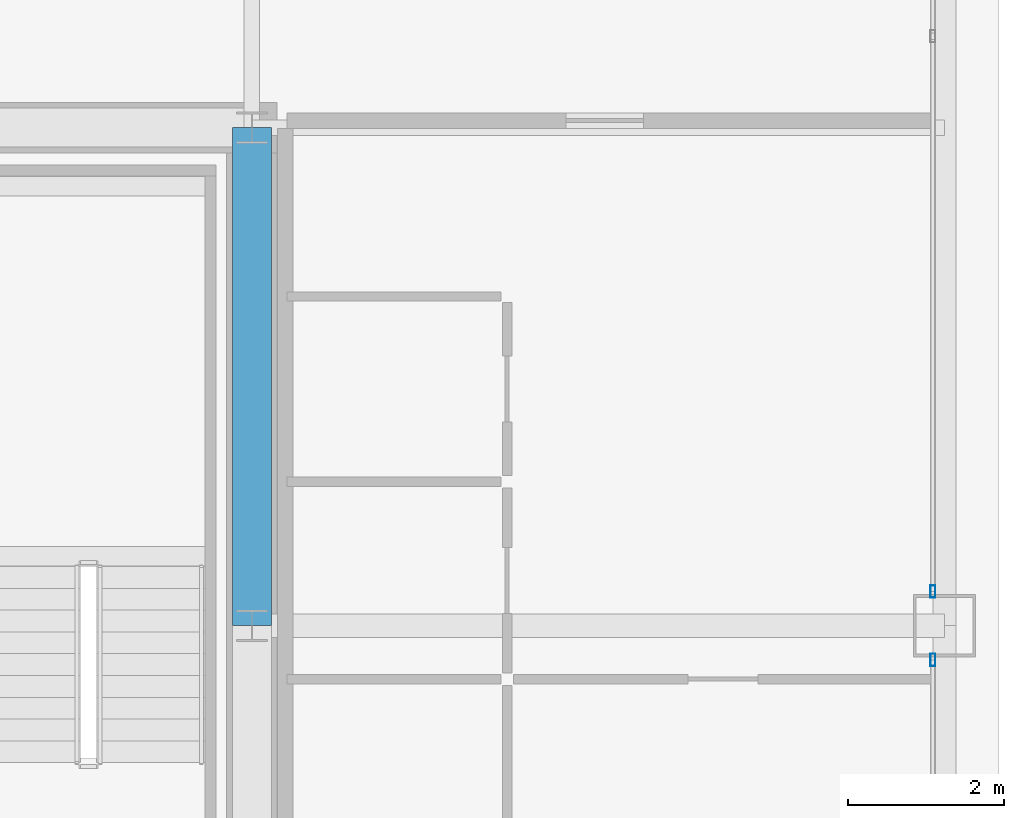
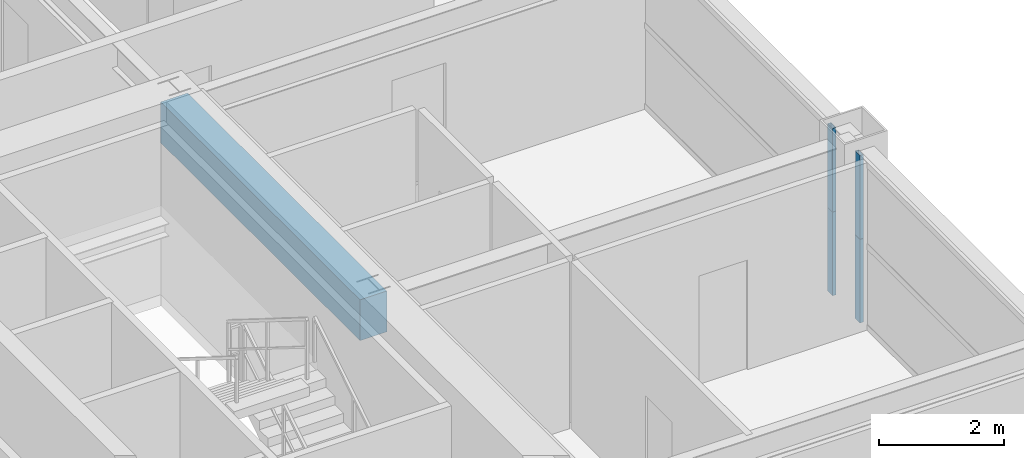
# One storey, part 20 of 38: 4 members, 1 beam, 2 elements without a shape of their own.
"""IFC4 building model written with IfcOpenShell, lengths in metres."""

from ifc_helpers import new_model, si_unit, direction, frame, origin, origin_2d, place, context, subcontext, project, spatial, rectangle, hollow_rectangle, extrude, source, transform, mapped, material, layer, layer_set, material_profile, profile_set, type_object, element, aggregate, save


model = new_model("IFC4")

# Units and contexts
model_context = context("Model", 3, precision=1e-05, world=origin(), true_north=direction((0.0, 1.0)))
body_context = subcontext(model_context, "Body", "Model", "MODEL_VIEW")
ifc_project = project(units=[si_unit("LENGTHUNIT", "METRE"), si_unit("AREAUNIT", "SQUARE_METRE"), si_unit("VOLUMEUNIT", "CUBIC_METRE"), si_unit("PLANEANGLEUNIT", "RADIAN"), si_unit("MASSUNIT", "GRAM", prefix="KILO"), si_unit("THERMODYNAMICTEMPERATUREUNIT", "KELVIN"), si_unit("POWERUNIT", "WATT")], contexts=[model_context])

# Site, building, storey
site_placement = place(None, origin())
site = spatial("IfcSite", under=ifc_project, at=site_placement, CompositionType="ELEMENT")
building_placement = place(site_placement, origin())
building = spatial("IfcBuilding", under=site, at=building_placement, Name="Yuzanri Waterfront Tower", CompositionType="ELEMENT")
storey_placement = place(building_placement, frame((0.0, 0.0, 181.0)))
storey = spatial("IfcBuildingStorey", under=building, at=storey_placement, Name="L47", CompositionType="ELEMENT", Elevation=181.0)

# Beam
ifc_material_1 = material(Name="Concrete C50", Category="concrete")
ifc_material_profile_1 = material_profile(ifc_material_1, rectangle(XDim=0.5, YDim=0.800048828125, at=origin_2d()), Name="RC 500x800")
ifc_profile_set_1 = profile_set([ifc_material_profile_1], Name="Concrete C50")
beam_type = type_object("IfcBeamType", Name="Core Coupling Lintel Concrete C50 500x800", PredefinedType="LINTEL", material=ifc_profile_set_1)
shared_shape_1 = source(origin(), body_context, "Body", "SweptSolid", [
    extrude(rectangle(XDim=0.5, YDim=0.800048828125, at=origin_2d()), origin(), (0.0, 0.0, 1.0), 6.39990234375),
])
beam_placement = place(storey_placement, frame((50.199951171875, 25.800048828125, 2.8798828125), z_axis=(0.0, 1.0, 0.0), x_axis=(-1.0, 0.0, 0.0)))
element("IfcBeam", 1, at=beam_placement, inside=storey, type_object=beam_type, Name="L47 Core Tie Beam CE2", PredefinedType="LINTEL", context=body_context, shape_type="MappedRepresentation", body=[
    mapped(shared_shape_1, transform((0.0, 0.0, 0.0), scale=1.0)),
])

# Curtain wall, members
ifc_material_2 = material(Name="Anodized Architectural Bronze", Category="metal")
ifc_layer = layer(ifc_material_2, 0.159912109375)
ifc_layer_set = layer_set([ifc_layer], Name="Anodized Architectural Bronze")
curtain_wall_type = type_object("IfcCurtainWallType", Name="Anodized Bronze Mid-Rise Residential Acoustic Unitized Curtain Wall 7200", PredefinedType="NOTDEFINED", material=ifc_layer_set)
curtain_wall_1_placement = place(storey_placement, origin())
curtain_wall_1 = element("IfcCurtainWall", 2, at=curtain_wall_1_placement, inside=storey, type_object=curtain_wall_type, Name="L47 Curtain Wall CW-L47-EL", PredefinedType="NOTDEFINED")
ifc_material_3 = material(Name="Anodized Architectural Bronze", Category="metal")
ifc_material_profile_2 = material_profile(ifc_material_3, hollow_rectangle(XDim=0.06494140625, YDim=0.159912109375, WallThickness=0.00341796875, at=origin_2d()), Name="CWM 65x160")
ifc_profile_set_2 = profile_set([ifc_material_profile_2], Name="Anodized Architectural Bronze")
member_type = type_object("IfcMemberType", Name="Anodized Bronze Upper-Zone Curtain-Wall Mullion 65x160", PredefinedType="MULLION", material=ifc_profile_set_2)
shared_shape_2 = source(origin(), body_context, "Body", "SweptSolid", [
    extrude(hollow_rectangle(XDim=0.06494140625, YDim=0.159912109375, WallThickness=0.00341796875, at=origin_2d()), origin(), (0.0, 0.0, 1.0), 1.637939453125),
])
member_1_placement = place(storey_placement, frame((58.949951171875, 25.360107421875, 0.0), z_axis=(0.0, 0.0, 1.0), x_axis=(1.0, 0.0, 0.0)))
member_1 = element("IfcMember", 3, at=member_1_placement, type_object=member_type, Name="CW-L47-EL Lower Mullion 02", PredefinedType="MULLION", context=body_context, shape_type="MappedRepresentation", body=[
    mapped(shared_shape_2, transform((0.0, 0.0, 0.0), scale=1.0)),
])
member_2_placement = place(storey_placement, frame((58.949951171875, 25.360107421875, 1.64208984375), z_axis=(0.0, 0.0, 1.0), x_axis=(1.0, 0.0, 0.0)))
member_2 = element("IfcMember", 4, at=member_2_placement, type_object=member_type, Name="CW-L47-EL Upper Mullion 02", PredefinedType="MULLION", context=body_context, shape_type="MappedRepresentation", body=[
    mapped(shared_shape_2, transform((0.0, 0.0, 0.0), scale=1.0)),
])
aggregate(curtain_wall_1, [member_1, member_2])

curtain_wall_2_placement = place(storey_placement, origin())
curtain_wall_2 = element("IfcCurtainWall", 5, at=curtain_wall_2_placement, inside=storey, type_object=curtain_wall_type, Name="L47 Curtain Wall CW-L47-ER", PredefinedType="NOTDEFINED")
member_3_placement = place(storey_placement, frame((58.949951171875, 26.239990234375, 0.0), z_axis=(0.0, 0.0, 1.0), x_axis=(1.0, 0.0, 0.0)))
member_3 = element("IfcMember", 6, at=member_3_placement, type_object=member_type, Name="CW-L47-ER Lower Mullion 00", PredefinedType="MULLION", context=body_context, shape_type="MappedRepresentation", body=[
    mapped(shared_shape_2, transform((0.0, 0.0, 0.0), scale=1.0)),
])
member_4_placement = place(storey_placement, frame((58.949951171875, 26.239990234375, 1.64208984375), z_axis=(0.0, 0.0, 1.0), x_axis=(1.0, 0.0, 0.0)))
member_4 = element("IfcMember", 7, at=member_4_placement, type_object=member_type, Name="CW-L47-ER Upper Mullion 00", PredefinedType="MULLION", context=body_context, shape_type="MappedRepresentation", body=[
    mapped(shared_shape_2, transform((0.0, 0.0, 0.0), scale=1.0)),
])
aggregate(curtain_wall_2, [member_3, member_4])

save(model, "model.ifc")
